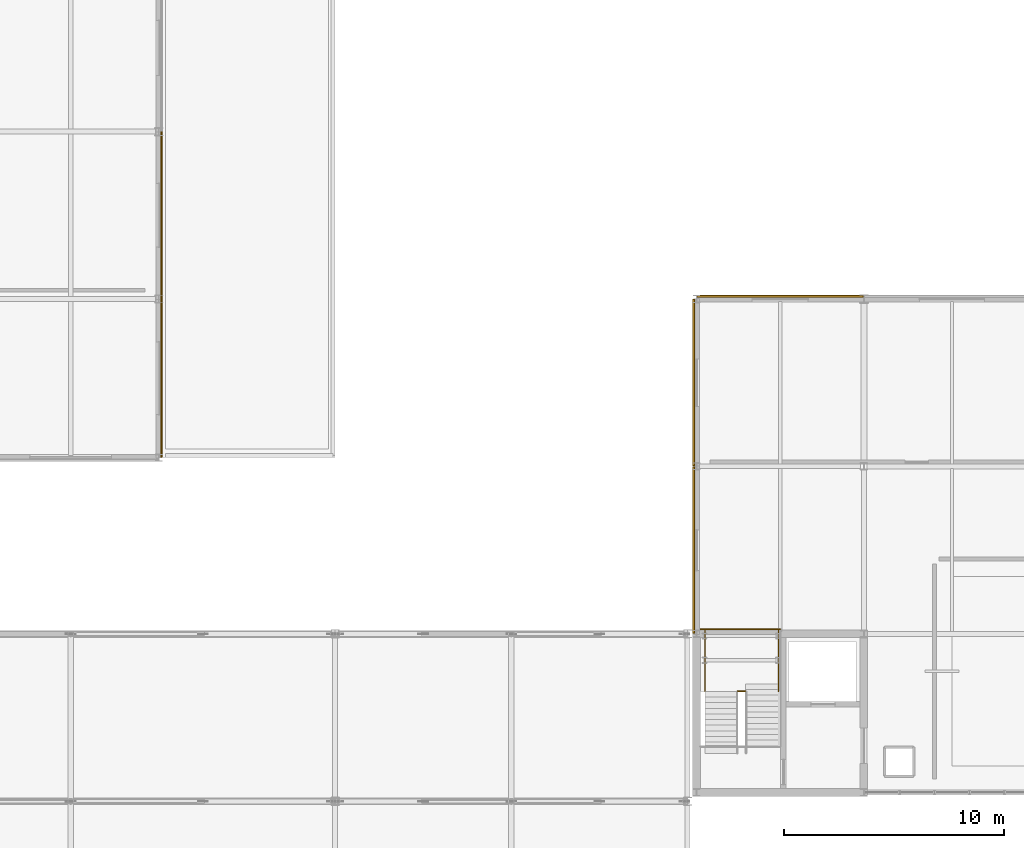
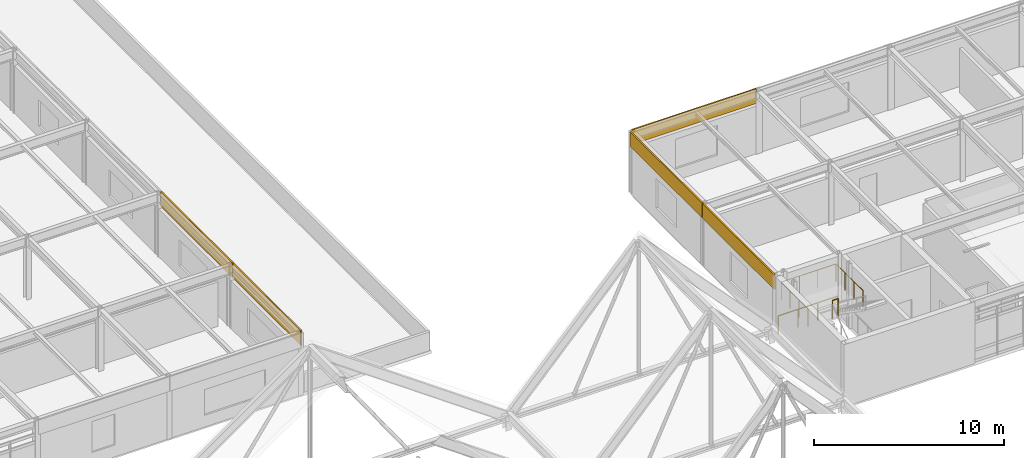
# One storey, part 83 of 85: 5 coverings, 3 railings.
"""IFC4 building model written with IfcOpenShell, lengths in metres."""

from ifc_helpers import new_model, si_unit, direction, frame, origin, origin_2d, place, context, subcontext, project, spatial, rectangle, circle, extrude, material, layer, layer_set, type_object, element, save


model = new_model("IFC4")

# Units and contexts
model_context = context("Model", 3, precision=1e-05, world=origin(), true_north=direction((0.0, 1.0)))
body_context = subcontext(model_context, "Body", "Model", "MODEL_VIEW")
ifc_project = project(units=[si_unit("LENGTHUNIT", "METRE"), si_unit("AREAUNIT", "SQUARE_METRE"), si_unit("VOLUMEUNIT", "CUBIC_METRE"), si_unit("PLANEANGLEUNIT", "RADIAN"), si_unit("MASSUNIT", "GRAM", prefix="KILO")], contexts=[model_context])

# Site, building, storey
site_placement = place(None, origin())
site = spatial("IfcSite", under=ifc_project, at=site_placement, CompositionType="ELEMENT")
building_placement = place(site_placement, origin())
building = spatial("IfcBuilding", under=site, at=building_placement, Name="Zulena Civic Courthouse", CompositionType="ELEMENT")
storey_placement = place(building_placement, frame((0.0, 0.0, 25.199951171875)))
storey = spatial("IfcBuildingStorey", under=building, at=storey_placement, Name="L05", CompositionType="ELEMENT", Elevation=25.199951171875)

# Railings
ifc_material_1 = material(Name="Brushed architectural steel ASTM A36", Category="steel")
railing_type = type_object("IfcRailingType", Name="InteriorGuardrail_1150", PredefinedType="GUARDRAIL", material=ifc_material_1)
railing_1_placement = place(storey_placement, frame((124.60009765625, 38.2099609375, 0.0)))
element("IfcRailing", 1, at=railing_1_placement, inside=storey, type_object=railing_type, Name="gr:wellN:K3A:L04", PredefinedType="GUARDRAIL", context=body_context, shape_type="SweptSolid", body=[
    extrude(circle(Radius=0.02392578125, at=origin_2d()), frame((0.00390625, 0.0, 1.1259765625), z_axis=(1.0, 0.0, 0.0), x_axis=(0.0, 1.0, 0.0)), (0.0, 0.0, 1.0), 3.591796875),
    extrude(circle(Radius=0.02099609375, at=origin_2d()), origin(), (0.0, 0.0, 1.0), 1.097900390625),
    extrude(circle(Radius=0.02099609375, at=origin_2d()), frame((1.199951171875, 0.0, 0.0)), (0.0, 0.0, 1.0), 1.097900390625),
    extrude(circle(Radius=0.02099609375, at=origin_2d()), frame((2.39990234375, 0.0, 0.0)), (0.0, 0.0, 1.0), 1.097900390625),
    extrude(circle(Radius=0.02099609375, at=origin_2d()), frame((3.599853515625, 0.0, 0.0)), (0.0, 0.0, 1.0), 1.097900390625),
])
railing_2_placement = place(storey_placement, frame((124.780029296875, 35.384521484375, 2.10009765625)))
element("IfcRailing", 2, at=railing_2_placement, inside=storey, type_object=railing_type, Name="gr:lnd:K3A:L05", PredefinedType="GUARDRAIL", context=body_context, shape_type="SweptSolid", body=[
    extrude(circle(Radius=0.02392578125, at=origin_2d()), frame((0.0, 0.00390625, 1.1259765625), z_axis=(0.0, 1.0, 0.0), x_axis=(-1.0, 0.0, 0.0)), (0.0, 0.0, 1.0), 2.827392578125),
    extrude(circle(Radius=0.02392578125, at=origin_2d()), frame((0.00390625, 2.83544921875, 1.1259765625), z_axis=(1.0, 0.0, 0.0), x_axis=(0.0, 1.0, 0.0)), (0.0, 0.0, 1.0), 3.33203125),
    extrude(circle(Radius=0.02392578125, at=origin_2d()), frame((3.340087890625, 2.83154296875, 1.1259765625), z_axis=(0.0, -1.0, 0.0), x_axis=(1.0, 0.0, 0.0)), (0.0, 0.0, 1.0), 2.827392578125),
    extrude(circle(Radius=0.02099609375, at=origin_2d()), origin(), (0.0, 0.0, 1.0), 1.097900390625),
    extrude(circle(Radius=0.02099609375, at=origin_2d()), frame((0.0, 0.945068359375, 0.0)), (0.0, 0.0, 1.0), 1.097900390625),
    extrude(circle(Radius=0.02099609375, at=origin_2d()), frame((0.0, 1.890380859375, 0.0)), (0.0, 0.0, 1.0), 1.097900390625),
    extrude(circle(Radius=0.02099609375, at=origin_2d()), frame((0.0, 2.83544921875, 0.0)), (0.0, 0.0, 1.0), 1.097900390625),
    extrude(circle(Radius=0.02099609375, at=origin_2d()), frame((1.11328125, 2.83544921875, 0.0)), (0.0, 0.0, 1.0), 1.097900390625),
    extrude(circle(Radius=0.02099609375, at=origin_2d()), frame((2.226806640625, 2.83544921875, 0.0)), (0.0, 0.0, 1.0), 1.097900390625),
    extrude(circle(Radius=0.02099609375, at=origin_2d()), frame((3.340087890625, 2.83544921875, 0.0)), (0.0, 0.0, 1.0), 1.097900390625),
    extrude(circle(Radius=0.02099609375, at=origin_2d()), frame((3.340087890625, 1.890380859375, 0.0)), (0.0, 0.0, 1.0), 1.097900390625),
    extrude(circle(Radius=0.02099609375, at=origin_2d()), frame((3.340087890625, 0.945068359375, 0.0)), (0.0, 0.0, 1.0), 1.097900390625),
    extrude(circle(Radius=0.02099609375, at=origin_2d()), frame((3.340087890625, 0.0, 0.0)), (0.0, 0.0, 1.0), 1.097900390625),
])
railing_3_placement = place(storey_placement, frame((126.280029296875, 35.405029296875, 2.10009765625)))
element("IfcRailing", 3, at=railing_3_placement, inside=storey, type_object=railing_type, Name="gr:lndslot:K3A:L05", PredefinedType="GUARDRAIL", context=body_context, shape_type="SweptSolid", body=[
    extrude(circle(Radius=0.02392578125, at=origin_2d()), frame((0.00390625, 0.0, 1.1259765625), z_axis=(1.0, 0.0, 0.0), x_axis=(0.0, 1.0, 0.0)), (0.0, 0.0, 1.0), 0.33203125),
    extrude(circle(Radius=0.02099609375, at=origin_2d()), origin(), (0.0, 0.0, 1.0), 1.097900390625),
    extrude(circle(Radius=0.02099609375, at=origin_2d()), frame((0.340087890625, 0.0, 0.0)), (0.0, 0.0, 1.0), 1.097900390625),
])

# Coverings
ifc_material_2 = material(Name="White architectural precast concrete C40/50", Category="concrete")
ifc_layer = layer(ifc_material_2, 0.0849609375)
ifc_layer_set = layer_set([ifc_layer], Name="White architectural precast concrete C40/50")
covering_type = type_object("IfcCoveringType", Name="PrecastSpandrelCladding_85", PredefinedType="CLADDING", material=ifc_layer_set)
for number, where, z_axis, x_axis, name in (
    (4, (124.280029296875, 41.800048828125, 3.06005859375), (0.0, 0.0, 1.0), (0.0, 1.0, 0.0), "clad:sp:V3:L05:0:1"),
    (5, (124.280029296875, 49.39990234375, 3.06005859375), (0.0, 0.0, 1.0), (0.0, 1.0, 0.0), "clad:sp:V3:L05:0:2"),
    (6, (128.199951171875, 53.320068359375, 3.06005859375), (0.0, 0.0, 1.0), (1.0, 0.0, 0.0), "clad:sp:V3:L05:1:0"),
    (7, (100.1201171875, 57.0, 3.06005859375), (0.0, 0.0, 1.0), (0.0, -1.0, 0.0), "clad:sp:V5:L05:4:4"),
):
    element("IfcCovering", number, at=place(storey_placement, frame(where, z_axis=z_axis, x_axis=x_axis)), inside=storey, type_object=covering_type, Name=name, PredefinedType="CLADDING", context=body_context, shape_type="SweptSolid", body=[
        extrude(rectangle(XDim=7.56005859375, YDim=0.0849609375, at=origin_2d()), origin(), (0.0, 0.0, 1.0), 0.93994140625),
    ])
covering_placement = place(storey_placement, frame((100.1201171875, 49.60009765625, 3.06005859375), z_axis=(0.0, 0.0, 1.0), x_axis=(0.0, -1.0, 0.0)))
element("IfcCovering", 8, at=covering_placement, inside=storey, type_object=covering_type, Name="clad:sp:V5:L05:4:5", PredefinedType="CLADDING", context=body_context, shape_type="SweptSolid", body=[
    extrude(rectangle(XDim=7.159912109375, YDim=0.0849609375, at=origin_2d()), origin(), (0.0, 0.0, 1.0), 0.93994140625),
])

save(model, "model.ifc")
